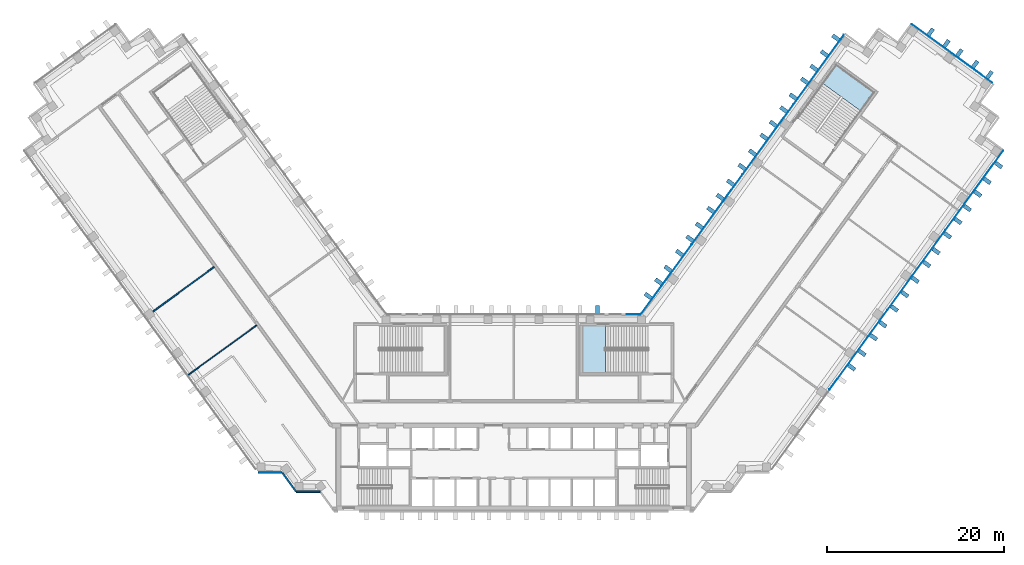
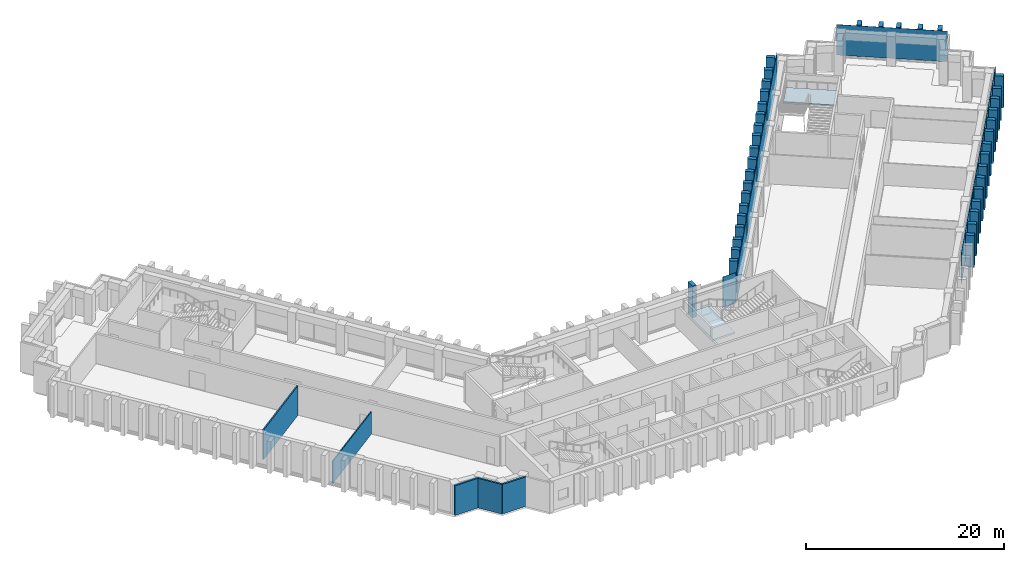
"""IFC4 building model written with IfcOpenShell, lengths in metres."""

from ifc_helpers import new_model, si_unit, direction, frame, frame_2d, origin, origin_2d, place, context, subcontext, project, spatial, polyline, rectangle, outline, extrude, material, layer, layer_set, type_object, element, aggregate, save


model = new_model("IFC4")

# Units and contexts
model_context = context("Model", 3, precision=1e-05, world=origin(), true_north=direction((0.0, 1.0)))
body_context = subcontext(model_context, "Body", "Model", "MODEL_VIEW")
ifc_project = project(units=[si_unit("LENGTHUNIT", "METRE"), si_unit("AREAUNIT", "SQUARE_METRE"), si_unit("VOLUMEUNIT", "CUBIC_METRE"), si_unit("PLANEANGLEUNIT", "RADIAN"), si_unit("MASSUNIT", "GRAM", prefix="KILO")], contexts=[model_context])

# Site, building, storey
site_placement = place(None, origin())
site = spatial("IfcSite", under=ifc_project, at=site_placement, CompositionType="ELEMENT")
building_placement = place(site_placement, origin())
building = spatial("IfcBuilding", under=site, at=building_placement, Name="Quipu Civic Tower", CompositionType="ELEMENT")
storey_1_placement = place(building_placement, frame((0.0, 0.0, 71.0)))
storey_1 = spatial("IfcBuildingStorey", under=building, at=storey_1_placement, Name="L16", CompositionType="ELEMENT", Elevation=71.0)

# Curtain wall
ifc_material_1 = material(Name="Insulated glass unit", Category="glass")
curtain_wall_type = type_object("IfcCurtainWallType", Name="Office curtain wall CW1", PredefinedType="NOTDEFINED", material=ifc_material_1)
curtain_wall_1_placement = place(storey_1_placement, origin())
curtain_wall_1 = element("IfcCurtainWall", 1, at=curtain_wall_1_placement, inside=storey_1, type_object=curtain_wall_type, Name="Office curtain wall CW1 L15 run 20", PredefinedType="NOTDEFINED")

# Storey
storey_2_placement = place(building_placement, frame((0.0, 0.0, 67.0)))
storey_2 = spatial("IfcBuildingStorey", under=building, at=storey_2_placement, Name="L15", CompositionType="ELEMENT", Elevation=67.0)

# Plate
ifc_material_2 = material(Name="Insulated glass unit", Category="glass")
ifc_layer_1 = layer(ifc_material_2, 0.028076171875)
ifc_layer_set_1 = layer_set([ifc_layer_1], Name="Insulated glass unit")
plate_type_1 = type_object("IfcPlateType", Name="Glass panel CW1", PredefinedType="CURTAIN_PANEL", material=ifc_layer_set_1)
plate_1_placement = place(storey_2_placement, frame((38.880126953125, 7.101806640625, 0.240234375), z_axis=(0.0, 0.0, 1.0), x_axis=(0.587785559869, 0.809016770908, 0.0)))
plate_1 = element("IfcPlate", 2, at=plate_1_placement, inside=storey_2, type_object=plate_type_1, Name="CW1 panel 2.1", PredefinedType="CURTAIN_PANEL", context=body_context, shape_type="SweptSolid", body=[
    extrude(rectangle(XDim=11.062744140625, YDim=0.028076171875, at=origin_2d()), origin(), (0.0, 0.0, 1.0), 3.760009765625),
])

plate_2_placement = place(storey_2_placement, frame((45.4296875, 16.11669921875, 0.240234375), z_axis=(0.0, 0.0, 1.0), x_axis=(0.587785559869, 0.809016770908, 0.0)))
plate_2 = element("IfcPlate", 3, at=plate_2_placement, inside=storey_2, type_object=plate_type_1, Name="CW1 panel 3.1", PredefinedType="CURTAIN_PANEL", context=body_context, shape_type="SweptSolid", body=[
    extrude(rectangle(XDim=11.062744140625, YDim=0.028076171875, at=origin_2d()), origin(), (0.0, 0.0, 1.0), 3.760009765625),
])

plate_3_placement = place(storey_2_placement, frame((51.967529296875, 25.114990234375, 0.240234375), z_axis=(0.0, 0.0, 1.0), x_axis=(0.587785559869, 0.809016770908, 0.0)))
plate_3 = element("IfcPlate", 4, at=plate_3_placement, inside=storey_2, type_object=plate_type_1, Name="CW1 panel 4.1", PredefinedType="CURTAIN_PANEL", context=body_context, shape_type="SweptSolid", body=[
    extrude(rectangle(XDim=11.022705078125, YDim=0.028076171875, at=origin_2d()), origin(), (0.0, 0.0, 1.0), 3.760009765625),
])

aggregate(curtain_wall_1, [plate_1, plate_2, plate_3])

# Curtain wall, plate
curtain_wall_2_placement = place(storey_1_placement, origin())
curtain_wall_2 = element("IfcCurtainWall", 5, at=curtain_wall_2_placement, inside=storey_1, type_object=curtain_wall_type, Name="Office curtain wall CW1 L15 run 25", PredefinedType="NOTDEFINED")
plate_4_placement = place(storey_2_placement, frame((49.447998046875, 40.53173828125, 0.240234375), z_axis=(0.0, 0.0, 1.0), x_axis=(-0.809019348124, 0.587782012621, 0.0)))
plate_4 = element("IfcPlate", 6, at=plate_4_placement, inside=storey_2, type_object=plate_type_1, Name="CW1 panel 1.1", PredefinedType="CURTAIN_PANEL", context=body_context, shape_type="SweptSolid", body=[
    extrude(rectangle(XDim=11.239990234375, YDim=0.028076171875, at=origin_2d()), origin(), (0.0, 0.0, 1.0), 3.760009765625),
])
aggregate(curtain_wall_2, [plate_4])

# Curtain wall, plates
curtain_wall_3_placement = place(storey_1_placement, origin())
curtain_wall_3 = element("IfcCurtainWall", 7, at=curtain_wall_3_placement, inside=storey_1, type_object=curtain_wall_type, Name="Office curtain wall CW1 L15 run 30", PredefinedType="NOTDEFINED")
plate_5_placement = place(storey_2_placement, frame((34.413330078125, 38.722900390625, 0.240234375), z_axis=(0.0, 0.0, 1.0), x_axis=(-0.587785887566, -0.809016532822, 0.0)))
plate_5 = element("IfcPlate", 8, at=plate_5_placement, inside=storey_2, type_object=plate_type_1, Name="CW1 panel 1.1", PredefinedType="CURTAIN_PANEL", context=body_context, shape_type="SweptSolid", body=[
    extrude(rectangle(XDim=9.64111328125, YDim=0.028076171875, at=origin_2d()), origin(), (0.0, 0.0, 1.0), 3.760009765625),
])
plate_6_placement = place(storey_2_placement, frame((28.687744140625, 30.84228515625, 0.240234375), z_axis=(0.0, 0.0, 1.0), x_axis=(-0.587785887566, -0.809016532822, 0.0)))
plate_6 = element("IfcPlate", 9, at=plate_6_placement, inside=storey_2, type_object=plate_type_1, Name="CW1 panel 2.1", PredefinedType="CURTAIN_PANEL", context=body_context, shape_type="SweptSolid", body=[
    extrude(rectangle(XDim=9.68115234375, YDim=0.028076171875, at=origin_2d()), origin(), (0.0, 0.0, 1.0), 3.760009765625),
])
plate_7_placement = place(storey_2_placement, frame((22.950439453125, 22.9453125, 0.240234375), z_axis=(0.0, 0.0, 1.0), x_axis=(-0.587785887566, -0.809016532822, 0.0)))
plate_7 = element("IfcPlate", 10, at=plate_7_placement, inside=storey_2, type_object=plate_type_1, Name="CW1 panel 3.1", PredefinedType="CURTAIN_PANEL", context=body_context, shape_type="SweptSolid", body=[
    extrude(rectangle(XDim=9.68115234375, YDim=0.028076171875, at=origin_2d()), origin(), (0.0, 0.0, 1.0), 3.760009765625),
])
plate_8_placement = place(storey_2_placement, frame((17.224609375, 15.064697265625, 0.240234375), z_axis=(0.0, 0.0, 1.0), x_axis=(-0.587785887566, -0.809016532822, 0.0)))
plate_8 = element("IfcPlate", 11, at=plate_8_placement, inside=storey_2, type_object=plate_type_1, Name="CW1 panel 4.1", PredefinedType="CURTAIN_PANEL", context=body_context, shape_type="SweptSolid", body=[
    extrude(rectangle(XDim=9.64111328125, YDim=0.028076171875, at=origin_2d()), origin(), (0.0, 0.0, 1.0), 3.760009765625),
])
aggregate(curtain_wall_3, [plate_5, plate_6, plate_7, plate_8])

# Curtain wall, plate
curtain_wall_4_placement = place(storey_1_placement, origin())
curtain_wall_4 = element("IfcCurtainWall", 12, at=curtain_wall_4_placement, inside=storey_1, type_object=curtain_wall_type, Name="Office curtain wall CW1 L15 run 31", PredefinedType="NOTDEFINED")
plate_9_placement = place(storey_2_placement, frame((13.49951171875, 11.10009765625, 0.240234375), z_axis=(0.0, 0.0, 1.0), x_axis=(-1.0, 0.0, 0.0)))
plate_9 = element("IfcPlate", 13, at=plate_9_placement, inside=storey_2, type_object=plate_type_1, Name="CW1 panel 1.1", PredefinedType="CURTAIN_PANEL", context=body_context, shape_type="SweptSolid", body=[
    extrude(rectangle(XDim=1.529296875, YDim=0.028076171875, at=origin_2d()), origin(), (0.0, 0.0, 1.0), 3.760009765625),
])
aggregate(curtain_wall_4, [plate_9])

# Plates
ifc_material_3 = material(Name="Precast concrete C40/50", Category="concrete")
plate_type_2 = type_object("IfcPlateType", Name="Precast fin F1", PredefinedType="SHEET", material=ifc_material_3)
for number, where, z_axis, x_axis, name in (
    (14, (38.12646484375, 5.128662109375, 0.080078125), (0.0, 0.0, 1.0), (0.587785716149, 0.809016657363, 0.0), "Precast fin F1 L15.20.8"),
    (15, (39.302001953125, 6.74658203125, 0.080078125), (0.0, 0.0, 1.0), (0.587785716149, 0.809016657363, 0.0), "Precast fin F1 L15.20.9"),
    (16, (40.594970703125, 8.526611328125, 0.080078125), (0.0, 0.0, 1.0), (0.587785716149, 0.809016657363, 0.0), "Precast fin F1 L15.20.10"),
    (17, (41.653076171875, 9.982666015625, 0.080078125), (0.0, 0.0, 1.0), (0.587785716149, 0.809016657363, 0.0), "Precast fin F1 L15.20.11"),
    (18, (42.9462890625, 11.7626953125, 0.080078125), (0.0, 0.0, 1.0), (0.587785716149, 0.809016657363, 0.0), "Precast fin F1 L15.20.12"),
    (19, (44.121826171875, 13.380615234375, 0.080078125), (0.0, 0.0, 1.0), (0.587785716149, 0.809016657363, 0.0), "Precast fin F1 L15.20.13"),
    (20, (45.29736328125, 14.998779296875, 0.080078125), (0.0, 0.0, 1.0), (0.587785716149, 0.809016657363, 0.0), "Precast fin F1 L15.20.14"),
    (21, (46.590576171875, 16.778564453125, 0.080078125), (0.0, 0.0, 1.0), (0.587785716149, 0.809016657363, 0.0), "Precast fin F1 L15.20.15"),
    (22, (47.6484375, 18.234619140625, 0.080078125), (0.0, 0.0, 1.0), (0.587785716149, 0.809016657363, 0.0), "Precast fin F1 L15.20.16"),
    (23, (48.941650390625, 20.0146484375, 0.080078125), (0.0, 0.0, 1.0), (0.587785716149, 0.809016657363, 0.0), "Precast fin F1 L15.20.17"),
    (24, (50.1171875, 21.632568359375, 0.080078125), (0.0, 0.0, 1.0), (0.587785716149, 0.809016657363, 0.0), "Precast fin F1 L15.20.18"),
    (25, (51.17529296875, 23.0888671875, 0.080078125), (0.0, 0.0, 1.0), (0.587785716149, 0.809016657363, 0.0), "Precast fin F1 L15.20.19"),
    (26, (52.350830078125, 24.706787109375, 0.080078125), (0.0, 0.0, 1.0), (0.587785716149, 0.809016657363, 0.0), "Precast fin F1 L15.20.20"),
    (27, (53.40869140625, 26.1630859375, 0.080078125), (0.0, 0.0, 1.0), (0.587785716149, 0.809016657363, 0.0), "Precast fin F1 L15.20.21"),
    (28, (54.701904296875, 27.94287109375, 0.080078125), (0.0, 0.0, 1.0), (0.587785716149, 0.809016657363, 0.0), "Precast fin F1 L15.20.22"),
    (29, (53.6748046875, 38.140625, 0.080078125), (0.0, 0.0, 1.0), (-0.809021318545, 0.587779300537, 0.0), "Precast fin F1 L15.25.1"),
    (30, (52.056884765625, 39.316162109375, 0.080078125), (0.0, 0.0, 1.0), (-0.809021318545, 0.587779300537, 0.0), "Precast fin F1 L15.25.2"),
    (31, (50.27685546875, 40.609375, 0.080078125), (0.0, 0.0, 1.0), (-0.809021318545, 0.587779300537, 0.0), "Precast fin F1 L15.25.3"),
    (32, (48.82080078125, 41.66748046875, 0.080078125), (0.0, 0.0, 1.0), (-0.809021318545, 0.587779300537, 0.0), "Precast fin F1 L15.25.4"),
    (33, (47.040771484375, 42.96044921875, 0.080078125), (0.0, 0.0, 1.0), (-0.809021318545, 0.587779300537, 0.0), "Precast fin F1 L15.25.5"),
    (34, (36.334716796875, 42.302978515625, 0.080078125), (0.0, 0.0, 1.0), (-0.587784944053, -0.809017218324, 0.0), "Precast fin F1 L15.30.1"),
    (35, (35.04150390625, 40.52294921875, 0.080078125), (0.0, 0.0, 1.0), (-0.587784944053, -0.809017218324, 0.0), "Precast fin F1 L15.30.2"),
    (36, (33.865966796875, 38.905029296875, 0.080078125), (0.0, 0.0, 1.0), (-0.587784944053, -0.809017218324, 0.0), "Precast fin F1 L15.30.3"),
    (37, (32.807861328125, 37.44873046875, 0.080078125), (0.0, 0.0, 1.0), (-0.587784944053, -0.809017218324, 0.0), "Precast fin F1 L15.30.4"),
    (38, (31.5146484375, 35.6689453125, 0.080078125), (0.0, 0.0, 1.0), (-0.587784944053, -0.809017218324, 0.0), "Precast fin F1 L15.30.5"),
    (39, (30.456787109375, 34.212646484375, 0.080078125), (0.0, 0.0, 1.0), (-0.587784944053, -0.809017218324, 0.0), "Precast fin F1 L15.30.6"),
    (40, (29.28125, 32.5947265625, 0.080078125), (0.0, 0.0, 1.0), (-0.587784944053, -0.809017218324, 0.0), "Precast fin F1 L15.30.7"),
    (41, (28.22314453125, 31.138427734375, 0.080078125), (0.0, 0.0, 1.0), (-0.587784944053, -0.809017218324, 0.0), "Precast fin F1 L15.30.8"),
    (42, (26.929931640625, 29.358642578125, 0.080078125), (0.0, 0.0, 1.0), (-0.587784944053, -0.809017218324, 0.0), "Precast fin F1 L15.30.9"),
    (43, (25.75439453125, 27.740478515625, 0.080078125), (0.0, 0.0, 1.0), (-0.587784944053, -0.809017218324, 0.0), "Precast fin F1 L15.30.10"),
    (44, (24.46142578125, 25.960693359375, 0.080078125), (0.0, 0.0, 1.0), (-0.587784944053, -0.809017218324, 0.0), "Precast fin F1 L15.30.11"),
    (45, (23.285888671875, 24.3427734375, 0.080078125), (0.0, 0.0, 1.0), (-0.587784944053, -0.809017218324, 0.0), "Precast fin F1 L15.30.12"),
    (46, (22.227783203125, 22.886474609375, 0.080078125), (0.0, 0.0, 1.0), (-0.587784944053, -0.809017218324, 0.0), "Precast fin F1 L15.30.13"),
    (47, (20.9345703125, 21.106689453125, 0.080078125), (0.0, 0.0, 1.0), (-0.587784944053, -0.809017218324, 0.0), "Precast fin F1 L15.30.14"),
    (48, (19.876708984375, 19.650390625, 0.080078125), (0.0, 0.0, 1.0), (-0.587784944053, -0.809017218324, 0.0), "Precast fin F1 L15.30.15"),
    (49, (18.701171875, 18.032470703125, 0.080078125), (0.0, 0.0, 1.0), (-0.587784944053, -0.809017218324, 0.0), "Precast fin F1 L15.30.16"),
    (50, (17.407958984375, 16.25244140625, 0.080078125), (0.0, 0.0, 1.0), (-0.587784944053, -0.809017218324, 0.0), "Precast fin F1 L15.30.17"),
    (51, (16.349853515625, 14.79638671875, 0.080078125), (0.0, 0.0, 1.0), (-0.587784944053, -0.809017218324, 0.0), "Precast fin F1 L15.30.18"),
    (52, (15.17431640625, 13.17822265625, 0.080078125), (0.0, 0.0, 1.0), (-0.587784944053, -0.809017218324, 0.0), "Precast fin F1 L15.30.19"),
    (53, (9.47509765625, 11.64990234375, 0.080078125), (0.0, 0.0, 1.0), (-1.0, 0.0, 0.0), "Precast fin F1 L15.33.1"),
):
    element("IfcPlate", number, at=place(storey_2_placement, frame(where, z_axis=z_axis, x_axis=x_axis)), inside=storey_2, type_object=plate_type_2, Name=name, PredefinedType="SHEET", context=body_context, shape_type="SweptSolid", body=[
        extrude(rectangle(XDim=0.449951171875, YDim=0.89990234375, at=origin_2d()), origin(), (0.0, 0.0, 1.0), 3.919921875),
    ])

# Stair, slab
ifc_material_4 = material(Name="Concrete C40/50", Category="concrete")
stair_type = type_object("IfcStairType", Name="Half turn stair 2600", PredefinedType="HALF_TURN_STAIR", material=ifc_material_4)
stair_1_placement = place(storey_2_placement, origin())
stair_1 = element("IfcStair", 54, at=stair_1_placement, inside=storey_2, type_object=stair_type, Name="Exit stair 4", PredefinedType="HALF_TURN_STAIR")
ifc_material_5 = material(Name="Concrete C40/50", Category="concrete")
ifc_layer_2 = layer(ifc_material_5, 0.199951171875)
ifc_layer_set_2 = layer_set([ifc_layer_2], Name="Concrete C40/50")
slab_type = type_object("IfcSlabType", Name="Stair landing 200", PredefinedType="LANDING", material=ifc_layer_set_2)
slab_1_placement = place(storey_2_placement, frame((0.0, 0.0, 1.800048828125)))
slab_1 = element("IfcSlab", 55, at=slab_1_placement, type_object=slab_type, Name="ST-4 landing 1", PredefinedType="LANDING", context=body_context, shape_type="SweptSolid", body=[
    extrude(outline(polyline([(10.35009765625, 9.85009765625), (7.75, 9.85009765625), (7.75, 4.5), (10.35009765625, 4.5), (10.35009765625, 9.85009765625)])), origin(), (0.0, 0.0, 1.0), 0.199951171875),
])
aggregate(stair_1, [slab_1])

stair_2_placement = place(storey_2_placement, origin())
stair_2 = element("IfcStair", 56, at=stair_2_placement, inside=storey_2, type_object=stair_type, Name="Exit stair 7", PredefinedType="HALF_TURN_STAIR")
slab_2_placement = place(storey_2_placement, frame((0.0, 0.0, 1.800048828125)))
slab_2 = element("IfcSlab", 57, at=slab_2_placement, type_object=slab_type, Name="ST-7 landing 1", PredefinedType="LANDING", context=body_context, shape_type="SweptSolid", body=[
    extrude(outline(polyline([(39.16552734375, 34.034912109375), (40.69384765625, 36.138427734375), (36.365478515625, 39.282958984375), (34.837158203125, 37.179443359375), (39.16552734375, 34.034912109375)])), origin(), (0.0, 0.0, 1.0), 0.199951171875),
])
aggregate(stair_2, [slab_2])

# Walls
ifc_material_6 = material(Name="Double gypsum plasterboard with mineral wool")
ifc_layer_3 = layer(ifc_material_6, 0.14990234375)
ifc_layer_set_3 = layer_set([ifc_layer_3], Name="Double gypsum plasterboard with mineral wool")
wall_type_1 = type_object("IfcWallType", Name="Acoustic partition 150 plasterboard", PredefinedType="PARTITIONING", material=ifc_layer_set_3)
wall_1_placement = place(storey_2_placement, frame((-40.701904296875, 11.404541015625, 0.0), z_axis=(0.0, 0.0, 1.0), x_axis=(0.807600812808, 0.58972953729, 0.0)))
element("IfcWall", 58, at=wall_1_placement, inside=storey_2, type_object=wall_type_1, Name="Partition P12", PredefinedType="PARTITIONING", context=body_context, shape_type="SweptSolid", body=[
    extrude(rectangle(XDim=8.5947265625, YDim=0.14990234375, at=frame_2d((4.29736328125, 0.0))), origin(), (0.0, 0.0, 1.0), 3.64990234375),
])
ifc_material_7 = material(Name="Gypsum plasterboard on light gauge framing")
ifc_layer_4 = layer(ifc_material_7, 0.1201171875)
ifc_layer_set_4 = layer_set([ifc_layer_4], Name="Gypsum plasterboard on light gauge framing")
wall_type_2 = type_object("IfcWallType", Name="Partition 120 plasterboard", PredefinedType="PARTITIONING", material=ifc_layer_set_4)
wall_2_placement = place(storey_2_placement, frame((-28.976318359375, 9.8876953125, 0.0), z_axis=(0.0, 0.0, 1.0), x_axis=(-0.808998008689, -0.58781138296, 0.0)))
element("IfcWall", 59, at=wall_2_placement, inside=storey_2, type_object=wall_type_2, Name="Partition P09", PredefinedType="PARTITIONING", context=body_context, shape_type="SweptSolid", body=[
    extrude(rectangle(XDim=9.5498046875, YDim=0.1201171875, at=frame_2d((4.77490234375, 0.0))), origin(), (0.0, 0.0, 1.0), 2.75),
])
ifc_material_8 = material(Name="Precast concrete C40/50", Category="concrete")
wall_type_3 = type_object("IfcWallType", Name="Precast cladding wall", PredefinedType="SOLIDWALL", material=ifc_material_8)
wall_3_placement = place(storey_2_placement, frame((-28.829833984375, -6.71923828125, 0.0), z_axis=(0.0, 0.0, 1.0), x_axis=(1.0, 0.0, 0.0)))
element("IfcWall", 60, at=wall_3_placement, inside=storey_2, type_object=wall_type_3, Name="Precast cladding wall L15 9", PredefinedType="SOLIDWALL", context=body_context, shape_type="SweptSolid", body=[
    extrude(rectangle(XDim=2.699951171875, YDim=0.199951171875, at=frame_2d((1.35009765625, 0.0))), origin(), (0.0, 0.0, 1.0), 3.64990234375),
])
wall_4_placement = place(storey_2_placement, frame((-26.1201171875, -6.72412109375, 0.0), z_axis=(0.0, 0.0, 1.0), x_axis=(0.587720002413, -0.809064397168, 0.0)))
element("IfcWall", 61, at=wall_4_placement, inside=storey_2, type_object=wall_type_3, Name="Precast cladding wall L15 10", PredefinedType="SOLIDWALL", context=body_context, shape_type="SweptSolid", body=[
    extrude(rectangle(XDim=2.7001953125, YDim=0.199951171875, at=frame_2d((1.35009765625, 0.0))), origin(), (0.0, 0.0, 1.0), 3.64990234375),
])
wall_5_placement = place(storey_2_placement, frame((-24.542724609375, -8.90380859375, 0.0), z_axis=(0.0, 0.0, 1.0), x_axis=(1.0, 0.0, 0.0)))
element("IfcWall", 62, at=wall_5_placement, inside=storey_2, type_object=wall_type_3, Name="Precast cladding wall L15 11", PredefinedType="SOLIDWALL", context=body_context, shape_type="SweptSolid", body=[
    extrude(rectangle(XDim=2.699951171875, YDim=0.199951171875, at=frame_2d((1.35009765625, 0.0))), origin(), (0.0, 0.0, 1.0), 3.64990234375),
])

save(model, "model.ifc")
